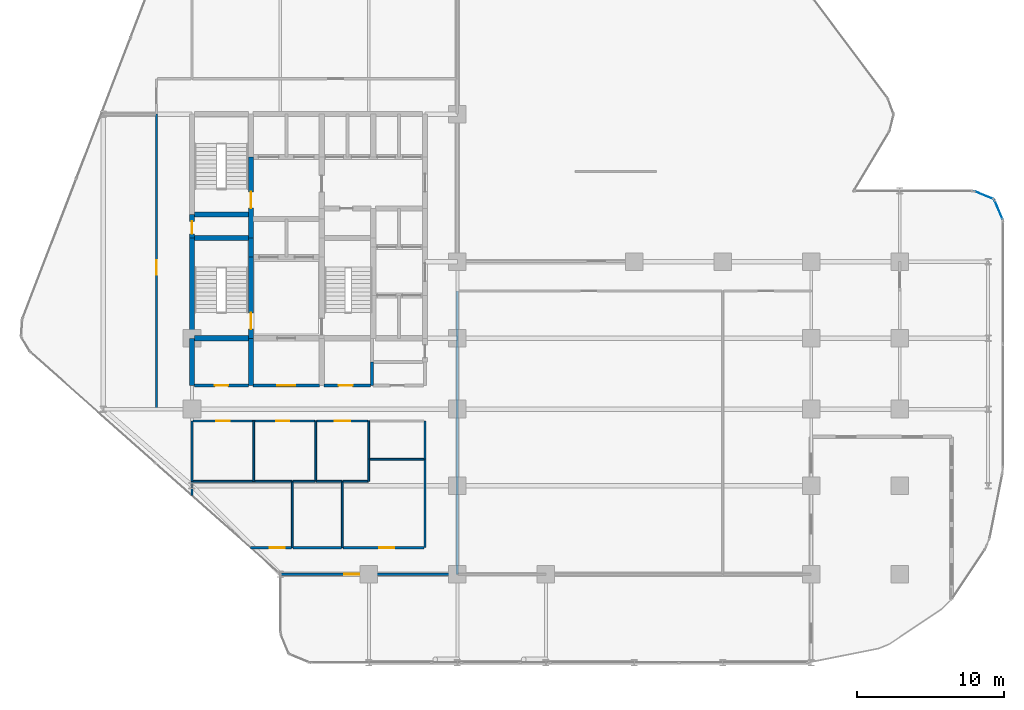
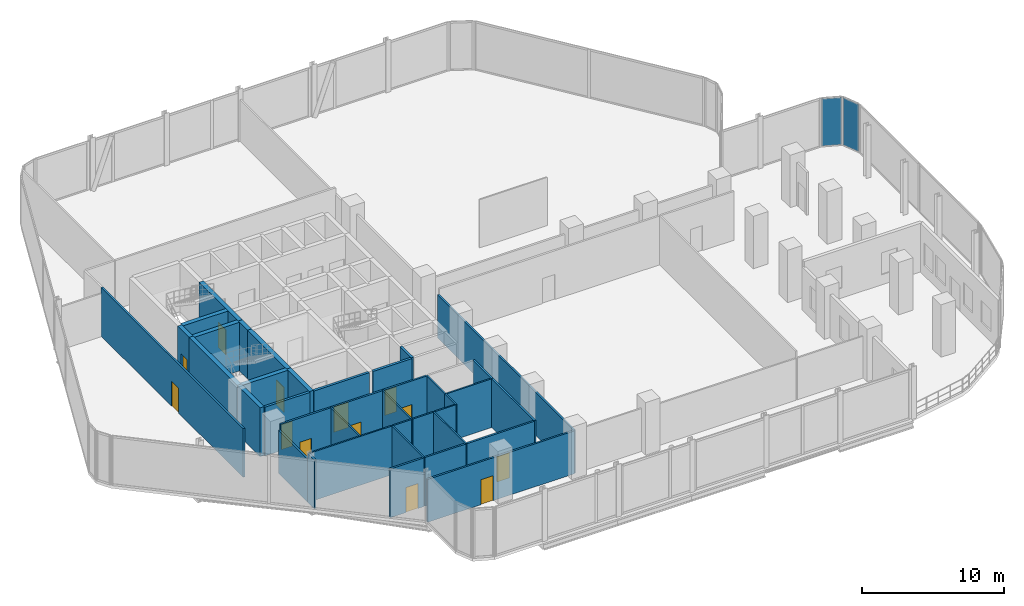
# One storey, part 26 of 30: 37 walls, 13 doors, 2 plates, 13 openings, 2 elements without a shape of their own.
"""IFC4 building model written with IfcOpenShell, lengths in metres."""

from ifc_helpers import new_model, si_unit, direction, frame, frame_2d, origin, origin_2d, place, context, subcontext, project, spatial, rectangle, extrude, material, layer, layer_set, type_object, element, fill, aggregate, save


model = new_model("IFC4")

# Units and contexts
model_context = context("Model", 3, precision=1e-05, world=origin(), true_north=direction((0.0, 1.0)))
body_context = subcontext(model_context, "Body", "Model", "MODEL_VIEW")
ifc_project = project(units=[si_unit("LENGTHUNIT", "METRE"), si_unit("AREAUNIT", "SQUARE_METRE"), si_unit("VOLUMEUNIT", "CUBIC_METRE"), si_unit("PLANEANGLEUNIT", "RADIAN"), si_unit("MASSUNIT", "GRAM", prefix="KILO")], contexts=[model_context])

# Site, building, storey
site_placement = place(None, origin())
site = spatial("IfcSite", under=ifc_project, at=site_placement, CompositionType="ELEMENT")
building_placement = place(site_placement, origin())
building = spatial("IfcBuilding", under=site, at=building_placement, Name="Keshet Zoharim Tower", CompositionType="ELEMENT")
storey_placement = place(building_placement, frame((0.0, 0.0, 65.60009765625)))
storey = spatial("IfcBuildingStorey", under=building, at=storey_placement, Name="L15", CompositionType="ELEMENT", Elevation=65.60009765625)

# Curtain wall, plate
ifc_material_1 = material(Name="Aluminium 6063-T6", Category="aluminium")
ifc_layer_1 = layer(ifc_material_1, 0.169921875)
ifc_layer_set_1 = layer_set([ifc_layer_1], Name="Aluminium 6063-T6")
curtain_wall_type = type_object("IfcCurtainWallType", Name="CW-SYS-02", PredefinedType="NOTDEFINED", material=ifc_layer_set_1)
curtain_wall_1_placement = place(storey_placement, origin())
curtain_wall_1 = element("IfcCurtainWall", 1, at=curtain_wall_1_placement, inside=storey, type_object=curtain_wall_type, Name="L15 Unitised Curtain Wall 11", PredefinedType="NOTDEFINED")
ifc_material_2 = material(Name="Insulated Low-E Clear Glass", Category="glass")
ifc_layer_2 = layer(ifc_material_2, 0.031982421875)
ifc_layer_set_2 = layer_set([ifc_layer_2], Name="Insulated Low-E Clear Glass")
plate_type = type_object("IfcPlateType", Name="CWP-02", PredefinedType="CURTAIN_PANEL", material=ifc_layer_set_2)
plate_1_placement = place(storey_placement, frame((68.70703125, 32.406982421875, 0.06982421875), z_axis=(0.0, 0.0, 1.0), x_axis=(0.92380975372, -0.382851849847, 0.0)))
plate_1 = element("IfcPlate", 2, at=plate_1_placement, type_object=plate_type, Name="CW-02 panel 1.1", PredefinedType="CURTAIN_PANEL", context=body_context, shape_type="SweptSolid", body=[
    extrude(rectangle(XDim=1.390625, YDim=0.031982421875, at=origin_2d()), origin(), (0.0, 0.0, 1.0), 4.044921875),
])
aggregate(curtain_wall_1, [plate_1])

curtain_wall_2_placement = place(storey_placement, origin())
curtain_wall_2 = element("IfcCurtainWall", 3, at=curtain_wall_2_placement, inside=storey, type_object=curtain_wall_type, Name="L15 Unitised Curtain Wall 12", PredefinedType="NOTDEFINED")
plate_2_placement = place(storey_placement, frame((69.70703125, 31.406982421875, 0.06982421875), z_axis=(0.0, 0.0, 1.0), x_axis=(0.382851849847, -0.92380975372, 0.0)))
plate_2 = element("IfcPlate", 4, at=plate_2_placement, type_object=plate_type, Name="CW-02 panel 1.1", PredefinedType="CURTAIN_PANEL", context=body_context, shape_type="SweptSolid", body=[
    extrude(rectangle(XDim=1.390625, YDim=0.031982421875, at=origin_2d()), origin(), (0.0, 0.0, 1.0), 4.044921875),
])
aggregate(curtain_wall_2, [plate_2])

# Wall, opening, door
ifc_material_3 = material(Name="Gypsum Plasterboard", Category="gypsum")
ifc_layer_3 = layer(ifc_material_3, 0.14990234375)
ifc_layer_set_3 = layer_set([ifc_layer_3], Name="Gypsum Plasterboard")
wall_type_1 = type_object("IfcWallType", Name="WL-CLIN-150", PredefinedType="STANDARD", material=ifc_layer_set_3)
wall_1_placement = place(storey_placement, frame((12.60009765625, 17.89990234375, 0.0), z_axis=(0.0, 0.0, 1.0), x_axis=(0.0, 1.0, 0.0)))
wall_1 = element("IfcWall", 5, at=wall_1_placement, inside=storey, type_object=wall_type_1, Name="L15 Interior Wall 001", PredefinedType="STANDARD", context=body_context, shape_type="SweptSolid", body=[
    extrude(rectangle(XDim=20.0, YDim=0.14990234375, at=frame_2d((10.0, 0.0))), origin(), (0.0, 0.0, 1.0), 4.184814453125),
])
opening_1_placement = place(wall_1_placement, frame((9.10009765625, 0.0, 0.0)))
opening_1 = element("IfcOpeningElement", 6, at=opening_1_placement, cuts=wall_1, Name="Opening D-F310", PredefinedType="OPENING", context=body_context, shape_type="SweptSolid", body=[
    extrude(rectangle(XDim=1.0, YDim=2.14990234375, at=frame_2d((0.5, 1.074951171875))), frame((0.0, 0.0849609375, 0.0), z_axis=(0.0, -1.0, 0.0), x_axis=(1.0, 0.0, 0.0)), (0.0, 0.0, 1.0), 0.169921875),
])
ifc_material_4 = material(Name="Hardwood Timber", Category="wood")
door_type_1 = type_object("IfcDoorType", Name="DR-FD30-100", OperationType="NOTDEFINED", PredefinedType="DOOR", material=ifc_material_4)
door_1_placement = place(opening_1_placement, origin())
door_1 = element("IfcDoor", 7, at=door_1_placement, inside=storey, type_object=door_type_1, Name="L15 Children Playroom Door", OperationType="SINGLE_SWING_RIGHT", OverallHeight=2.14990234375, OverallWidth=1.0, PredefinedType="DOOR", context=body_context, shape_type="SweptSolid", body=[
    extrude(rectangle(XDim=1.0, YDim=2.14990234375, at=frame_2d((0.5, 1.074951171875))), frame((0.0, 0.02490234375, 0.0), z_axis=(0.0, -1.0, 0.0), x_axis=(1.0, 0.0, 0.0)), (0.0, 0.0, 1.0), 0.050048828125),
])
fill(opening_1, door_1)

# Walls
wall_2_placement = place(storey_placement, frame((15.0, 12.04296875, 0.0), z_axis=(0.0, 0.0, 1.0), x_axis=(0.0, 1.0, 0.0)))
element("IfcWall", 8, at=wall_2_placement, inside=storey, type_object=wall_type_1, Name="L15 Interior Wall 003", PredefinedType="STANDARD", context=body_context, shape_type="SweptSolid", body=[
    extrude(rectangle(XDim=0.95703125, YDim=0.14990234375, at=frame_2d((0.478515625, 0.0))), origin(), (0.0, 0.0, 1.0), 4.184814453125),
])
wall_3_placement = place(storey_placement, frame((15.0, 13.0, 0.0), z_axis=(0.0, 0.0, 1.0), x_axis=(0.0, 1.0, 0.0)))
element("IfcWall", 9, at=wall_3_placement, inside=storey, type_object=wall_type_1, Name="L15 Interior Wall 004", PredefinedType="STANDARD", context=body_context, shape_type="SweptSolid", body=[
    extrude(rectangle(XDim=4.10009765625, YDim=0.14990234375, at=frame_2d((2.050048828125, 0.0))), origin(), (0.0, 0.0, 1.0), 3.684814453125),
])
wall_4_placement = place(storey_placement, frame((30.800048828125, 8.5, 0.0), z_axis=(0.0, 0.0, 1.0), x_axis=(0.0, 1.0, 0.0)))
element("IfcWall", 10, at=wall_4_placement, inside=storey, type_object=wall_type_1, Name="L15 Interior Wall 041", PredefinedType="STANDARD", context=body_context, shape_type="SweptSolid", body=[
    extrude(rectangle(XDim=6.0, YDim=0.14990234375, at=frame_2d((3.0, 0.0))), origin(), (0.0, 0.0, 1.0), 4.184814453125),
])
wall_5_placement = place(storey_placement, frame((30.800048828125, 14.5, 0.0), z_axis=(0.0, 0.0, 1.0), x_axis=(0.0, 1.0, 0.0)))
element("IfcWall", 11, at=wall_5_placement, inside=storey, type_object=wall_type_1, Name="L15 Interior Wall 042", PredefinedType="STANDARD", context=body_context, shape_type="SweptSolid", body=[
    extrude(rectangle(XDim=2.60009765625, YDim=0.14990234375, at=frame_2d((1.300048828125, 0.0))), origin(), (0.0, 0.0, 1.0), 4.184814453125),
])
wall_6_placement = place(storey_placement, frame((33.0, 6.699951171875, 0.0), z_axis=(0.0, 0.0, 1.0), x_axis=(0.0, 1.0, 0.0)))
element("IfcWall", 12, at=wall_6_placement, inside=storey, type_object=wall_type_1, Name="L15 Interior Wall 050", PredefinedType="STANDARD", context=body_context, shape_type="SweptSolid", body=[
    extrude(rectangle(XDim=19.199951171875, YDim=0.14990234375, at=frame_2d((9.60009765625, 0.0))), origin(), (0.0, 0.0, 1.0), 3.684814453125),
])

# Wall, opening, door
wall_7_placement = place(storey_placement, frame((21.010009765625, 6.699951171875, 0.0), z_axis=(0.0, 0.0, 1.0), x_axis=(1.0, 0.0, 0.0)))
wall_7 = element("IfcWall", 13, at=wall_7_placement, inside=storey, type_object=wall_type_1, Name="L15 Interior Wall 055", PredefinedType="STANDARD", context=body_context, shape_type="SweptSolid", body=[
    extrude(rectangle(XDim=11.929931640625, YDim=0.14990234375, at=frame_2d((5.96484375, 0.0))), origin(), (0.0, 0.0, 1.0), 3.684814453125),
])
opening_2_placement = place(wall_7_placement, frame((4.324951171875, 0.0, 0.0)))
opening_2 = element("IfcOpeningElement", 14, at=opening_2_placement, cuts=wall_7, Name="Opening D-F310", PredefinedType="OPENING", context=body_context, shape_type="SweptSolid", body=[
    extrude(rectangle(XDim=1.0, YDim=2.14990234375, at=frame_2d((0.5, 1.074951171875))), frame((0.0, 0.0849609375, 0.0), z_axis=(0.0, -1.0, 0.0), x_axis=(1.0, 0.0, 0.0)), (0.0, 0.0, 1.0), 0.169921875),
])
door_2_placement = place(opening_2_placement, origin())
door_2 = element("IfcDoor", 15, at=door_2_placement, inside=storey, type_object=door_type_1, Name="L15 South Sun Conservatory Door", OperationType="SINGLE_SWING_LEFT", OverallHeight=2.14990234375, OverallWidth=1.0, PredefinedType="DOOR", context=body_context, shape_type="SweptSolid", body=[
    extrude(rectangle(XDim=1.0, YDim=2.14990234375, at=frame_2d((0.5, 1.074951171875))), frame((0.0, 0.02490234375, 0.0), z_axis=(0.0, -1.0, 0.0), x_axis=(1.0, 0.0, 0.0)), (0.0, 0.0, 1.0), 0.050048828125),
])
fill(opening_2, door_2)

wall_8_placement = place(storey_placement, frame((18.985107421875, 8.5, 0.0), z_axis=(0.0, 0.0, 1.0), x_axis=(1.0, 0.0, 0.0)))
wall_8 = element("IfcWall", 16, at=wall_8_placement, inside=storey, type_object=wall_type_1, Name="L15 Interior Wall 058", PredefinedType="STANDARD", context=body_context, shape_type="SweptSolid", body=[
    extrude(rectangle(XDim=2.769775390625, YDim=0.14990234375, at=frame_2d((1.384765625, 0.0))), origin(), (0.0, 0.0, 1.0), 4.184814453125),
])
opening_3_placement = place(wall_8_placement, frame((1.294921875, 0.0, 0.0)))
opening_3 = element("IfcOpeningElement", 17, at=opening_3_placement, cuts=wall_8, Name="Opening D-F310", PredefinedType="OPENING", context=body_context, shape_type="SweptSolid", body=[
    extrude(rectangle(XDim=1.0, YDim=2.14990234375, at=frame_2d((0.5, 1.074951171875))), frame((0.0, 0.0849609375, 0.0), z_axis=(0.0, -1.0, 0.0), x_axis=(1.0, 0.0, 0.0)), (0.0, 0.0, 1.0), 0.169921875),
])
door_3_placement = place(opening_3_placement, origin())
door_3 = element("IfcDoor", 18, at=door_3_placement, inside=storey, type_object=door_type_1, Name="L15 Residents Laundry Room Door", OperationType="SINGLE_SWING_RIGHT", OverallHeight=2.14990234375, OverallWidth=1.0, PredefinedType="DOOR", context=body_context, shape_type="SweptSolid", body=[
    extrude(rectangle(XDim=1.0, YDim=2.14990234375, at=frame_2d((0.5, 1.074951171875))), frame((0.0, 0.02490234375, 0.0), z_axis=(0.0, -1.0, 0.0), x_axis=(1.0, 0.0, 0.0)), (0.0, 0.0, 1.0), 0.050048828125),
])
fill(opening_3, door_3)

# Wall
wall_9_placement = place(storey_placement, frame((21.844970703125, 8.5, 0.0), z_axis=(0.0, 0.0, 1.0), x_axis=(1.0, 0.0, 0.0)))
element("IfcWall", 19, at=wall_9_placement, inside=storey, type_object=wall_type_1, Name="L15 Interior Wall 059", PredefinedType="STANDARD", context=body_context, shape_type="SweptSolid", body=[
    extrude(rectangle(XDim=3.31005859375, YDim=0.14990234375, at=frame_2d((1.655029296875, 0.0))), origin(), (0.0, 0.0, 1.0), 4.184814453125),
])

# Wall, opening, door
wall_10_placement = place(storey_placement, frame((25.2451171875, 8.5, 0.0), z_axis=(0.0, 0.0, 1.0), x_axis=(1.0, 0.0, 0.0)))
wall_10 = element("IfcWall", 20, at=wall_10_placement, inside=storey, type_object=wall_type_1, Name="L15 Interior Wall 060", PredefinedType="STANDARD", context=body_context, shape_type="SweptSolid", body=[
    extrude(rectangle(XDim=5.494873046875, YDim=0.14990234375, at=frame_2d((2.74755859375, 0.0))), origin(), (0.0, 0.0, 1.0), 4.184814453125),
])
opening_4_placement = place(wall_10_placement, frame((2.468994140625, 0.0, 0.0)))
opening_4 = element("IfcOpeningElement", 21, at=opening_4_placement, cuts=wall_10, Name="Opening D-F310", PredefinedType="OPENING", context=body_context, shape_type="SweptSolid", body=[
    extrude(rectangle(XDim=1.0, YDim=2.14990234375, at=frame_2d((0.5, 1.074951171875))), frame((0.0, 0.0849609375, 0.0), z_axis=(0.0, -1.0, 0.0), x_axis=(1.0, 0.0, 0.0)), (0.0, 0.0, 1.0), 0.169921875),
])
door_4_placement = place(opening_4_placement, origin())
door_4 = element("IfcDoor", 22, at=door_4_placement, inside=storey, type_object=door_type_1, Name="L15 Shared Residents Kitchen Door", OperationType="SINGLE_SWING_LEFT", OverallHeight=2.14990234375, OverallWidth=1.0, PredefinedType="DOOR", context=body_context, shape_type="SweptSolid", body=[
    extrude(rectangle(XDim=1.0, YDim=2.14990234375, at=frame_2d((0.5, 1.074951171875))), frame((0.0, 0.02490234375, 0.0), z_axis=(0.0, -1.0, 0.0), x_axis=(1.0, 0.0, 0.0)), (0.0, 0.0, 1.0), 0.050048828125),
])
fill(opening_4, door_4)

# Wall, openings, doors
wall_11_placement = place(storey_placement, frame((15.06005859375, 17.10009765625, 0.0), z_axis=(0.0, 0.0, 1.0), x_axis=(1.0, 0.0, 0.0)))
wall_11 = element("IfcWall", 23, at=wall_11_placement, inside=storey, type_object=wall_type_1, Name="L15 Interior Wall 066", PredefinedType="STANDARD", context=body_context, shape_type="SweptSolid", body=[
    extrude(rectangle(XDim=8.294921875, YDim=0.14990234375, at=frame_2d((4.1474609375, 0.0))), origin(), (0.0, 0.0, 1.0), 4.184814453125),
])
opening_5_placement = place(wall_11_placement, frame((1.594970703125, 0.0, 0.0)))
opening_5 = element("IfcOpeningElement", 24, at=opening_5_placement, cuts=wall_11, Name="Opening D-WT90", PredefinedType="OPENING", context=body_context, shape_type="SweptSolid", body=[
    extrude(rectangle(XDim=0.89990234375, YDim=2.10009765625, at=frame_2d((0.449951171875, 1.050048828125))), frame((0.0, 0.0849609375, 0.0), z_axis=(0.0, -1.0, 0.0), x_axis=(1.0, 0.0, 0.0)), (0.0, 0.0, 1.0), 0.169921875),
])
opening_6_placement = place(wall_11_placement, frame((5.64501953125, 0.0, 0.0)))
opening_6 = element("IfcOpeningElement", 25, at=opening_6_placement, cuts=wall_11, Name="Opening D-WT90", PredefinedType="OPENING", context=body_context, shape_type="SweptSolid", body=[
    extrude(rectangle(XDim=0.89990234375, YDim=2.10009765625, at=frame_2d((0.449951171875, 1.050048828125))), frame((0.0, 0.0849609375, 0.0), z_axis=(0.0, -1.0, 0.0), x_axis=(1.0, 0.0, 0.0)), (0.0, 0.0, 1.0), 0.169921875),
])
door_type_2 = type_object("IfcDoorType", Name="DR-WET-090", OperationType="NOTDEFINED", PredefinedType="DOOR", material=ifc_material_4)
door_5_placement = place(opening_5_placement, origin())
door_5 = element("IfcDoor", 26, at=door_5_placement, inside=storey, type_object=door_type_2, Name="L15 Public WCM Door", OperationType="SINGLE_SWING_RIGHT", OverallHeight=2.10009765625, OverallWidth=0.89990234375, PredefinedType="DOOR", context=body_context, shape_type="SweptSolid", body=[
    extrude(rectangle(XDim=0.89990234375, YDim=2.10009765625, at=frame_2d((0.449951171875, 1.050048828125))), frame((0.0, 0.02490234375, 0.0), z_axis=(0.0, -1.0, 0.0), x_axis=(1.0, 0.0, 0.0)), (0.0, 0.0, 1.0), 0.050048828125),
])
fill(opening_5, door_5)
door_6_placement = place(opening_6_placement, origin())
door_6 = element("IfcDoor", 27, at=door_6_placement, inside=storey, type_object=door_type_2, Name="L15 Public WCF Door", OperationType="SINGLE_SWING_LEFT", OverallHeight=2.10009765625, OverallWidth=0.89990234375, PredefinedType="DOOR", context=body_context, shape_type="SweptSolid", body=[
    extrude(rectangle(XDim=0.89990234375, YDim=2.10009765625, at=frame_2d((0.449951171875, 1.050048828125))), frame((0.0, 0.02490234375, 0.0), z_axis=(0.0, -1.0, 0.0), x_axis=(1.0, 0.0, 0.0)), (0.0, 0.0, 1.0), 0.050048828125),
])
fill(opening_6, door_6)

# Wall, opening, door
wall_12_placement = place(storey_placement, frame((23.445068359375, 17.10009765625, 0.0), z_axis=(0.0, 0.0, 1.0), x_axis=(1.0, 0.0, 0.0)))
wall_12 = element("IfcWall", 28, at=wall_12_placement, inside=storey, type_object=wall_type_1, Name="L15 Interior Wall 067", PredefinedType="STANDARD", context=body_context, shape_type="SweptSolid", body=[
    extrude(rectangle(XDim=3.510009765625, YDim=0.14990234375, at=frame_2d((1.7548828125, 0.0))), origin(), (0.0, 0.0, 1.0), 4.184814453125),
])
opening_7_placement = place(wall_12_placement, frame((1.22998046875, 0.0, 0.0)))
opening_7 = element("IfcOpeningElement", 29, at=opening_7_placement, cuts=wall_12, Name="Opening D-AC10", PredefinedType="OPENING", context=body_context, shape_type="SweptSolid", body=[
    extrude(rectangle(XDim=1.050048828125, YDim=2.14990234375, at=frame_2d((0.52490234375, 1.074951171875))), frame((0.0, 0.0849609375, 0.0), z_axis=(0.0, -1.0, 0.0), x_axis=(1.0, 0.0, 0.0)), (0.0, 0.0, 1.0), 0.169921875),
])
door_type_3 = type_object("IfcDoorType", Name="DR-ACC-105", OperationType="NOTDEFINED", PredefinedType="DOOR", material=ifc_material_4)
door_7_placement = place(opening_7_placement, origin())
door_7 = element("IfcDoor", 30, at=door_7_placement, inside=storey, type_object=door_type_3, Name="L15 Public WCA Door", OperationType="SINGLE_SWING_RIGHT", OverallHeight=2.14990234375, OverallWidth=1.050048828125, PredefinedType="DOOR", context=body_context, shape_type="SweptSolid", body=[
    extrude(rectangle(XDim=1.050048828125, YDim=2.14990234375, at=frame_2d((0.52490234375, 1.074951171875))), frame((0.0, 0.02490234375, 0.0), z_axis=(0.0, -1.0, 0.0), x_axis=(1.0, 0.0, 0.0)), (0.0, 0.0, 1.0), 0.050048828125),
])
fill(opening_7, door_7)

# Walls
ifc_material_5 = material(Name="Concrete C60/75", Category="concrete")
ifc_layer_4 = layer(ifc_material_5, 0.35009765625)
ifc_layer_set_4 = layer_set([ifc_layer_4], Name="Concrete C60/75")
wall_type_2 = type_object("IfcWallType", Name="WL-CORE-350", PredefinedType="SHEAR", material=ifc_layer_set_4)
wall_13_placement = place(storey_placement, frame((15.0, 19.5, 0.0), z_axis=(0.0, 0.0, 1.0), x_axis=(0.0, 1.0, 0.0)))
element("IfcWall", 31, at=wall_13_placement, inside=storey, type_object=wall_type_2, Name="L15 Core Shear Wall 005", PredefinedType="SHEAR", context=body_context, shape_type="SweptSolid", body=[
    extrude(rectangle(XDim=3.199951171875, YDim=0.35009765625, at=frame_2d((1.60009765625, 0.0))), origin(), (0.0, 0.0, 1.0), 4.184814453125),
])
wall_14_placement = place(storey_placement, frame((15.0, 22.699951171875, 0.0), z_axis=(0.0, 0.0, 1.0), x_axis=(0.0, 1.0, 0.0)))
element("IfcWall", 32, at=wall_14_placement, inside=storey, type_object=wall_type_2, Name="L15 Core Shear Wall 006", PredefinedType="SHEAR", context=body_context, shape_type="SweptSolid", body=[
    extrude(rectangle(XDim=6.800048828125, YDim=0.35009765625, at=frame_2d((3.39990234375, 0.0))), origin(), (0.0, 0.0, 1.0), 4.184814453125),
])

# Wall, opening, door
wall_15_placement = place(storey_placement, frame((15.0, 29.5, 0.0), z_axis=(0.0, 0.0, 1.0), x_axis=(0.0, 1.0, 0.0)))
wall_15 = element("IfcWall", 33, at=wall_15_placement, inside=storey, type_object=wall_type_2, Name="L15 Core Shear Wall 007", PredefinedType="SHEAR", context=body_context, shape_type="SweptSolid", body=[
    extrude(rectangle(XDim=1.60009765625, YDim=0.35009765625, at=frame_2d((0.800048828125, 0.0))), origin(), (0.0, 0.0, 1.0), 4.184814453125),
])
opening_8_placement = place(wall_15_placement, frame((0.287109375, 0.0, 0.0)))
opening_8 = element("IfcOpeningElement", 34, at=opening_8_placement, cuts=wall_15, Name="Opening D-RS85", PredefinedType="OPENING", context=body_context, shape_type="SweptSolid", body=[
    extrude(rectangle(XDim=0.85009765625, YDim=2.10009765625, at=frame_2d((0.425048828125, 1.050048828125))), frame((0.0, 0.18505859375, 0.0), z_axis=(0.0, -1.0, 0.0), x_axis=(1.0, 0.0, 0.0)), (0.0, 0.0, 1.0), 0.3701171875),
])
door_type_4 = type_object("IfcDoorType", Name="DR-RIS-085", OperationType="NOTDEFINED", PredefinedType="DOOR", material=ifc_material_4)
door_8_placement = place(opening_8_placement, origin())
door_8 = element("IfcDoor", 35, at=door_8_placement, inside=storey, type_object=door_type_4, Name="L15 Electrical Riser Access Cupboard Door", OperationType="SINGLE_SWING_RIGHT", OverallHeight=2.10009765625, OverallWidth=0.85009765625, PredefinedType="DOOR", context=body_context, shape_type="SweptSolid", body=[
    extrude(rectangle(XDim=0.85009765625, YDim=2.10009765625, at=frame_2d((0.425048828125, 1.050048828125))), frame((0.0, 0.02490234375, 0.0), z_axis=(0.0, -1.0, 0.0), x_axis=(1.0, 0.0, 0.0)), (0.0, 0.0, 1.0), 0.050048828125),
])
fill(opening_8, door_8)

# Wall
wall_16_placement = place(storey_placement, frame((19.0, 19.5, 0.0), z_axis=(0.0, 0.0, 1.0), x_axis=(0.0, 1.0, 0.0)))
element("IfcWall", 36, at=wall_16_placement, inside=storey, type_object=wall_type_2, Name="L15 Core Shear Wall 010", PredefinedType="SHEAR", context=body_context, shape_type="SweptSolid", body=[
    extrude(rectangle(XDim=3.199951171875, YDim=0.35009765625, at=frame_2d((1.60009765625, 0.0))), origin(), (0.0, 0.0, 1.0), 4.184814453125),
])

# Wall, opening, door
wall_17_placement = place(storey_placement, frame((19.0, 22.699951171875, 0.0), z_axis=(0.0, 0.0, 1.0), x_axis=(0.0, 1.0, 0.0)))
wall_17 = element("IfcWall", 37, at=wall_17_placement, inside=storey, type_object=wall_type_2, Name="L15 Core Shear Wall 011", PredefinedType="SHEAR", context=body_context, shape_type="SweptSolid", body=[
    extrude(rectangle(XDim=5.5, YDim=0.35009765625, at=frame_2d((2.75, 0.0))), origin(), (0.0, 0.0, 1.0), 4.184814453125),
])
opening_9_placement = place(wall_17_placement, frame((0.631103515625, 0.0, 0.0)))
opening_9 = element("IfcOpeningElement", 38, at=opening_9_placement, cuts=wall_17, Name="Opening D-F611", PredefinedType="OPENING", context=body_context, shape_type="SweptSolid", body=[
    extrude(rectangle(XDim=1.10009765625, YDim=2.14990234375, at=frame_2d((0.550048828125, 1.074951171875))), frame((0.0, 0.18505859375, 0.0), z_axis=(0.0, -1.0, 0.0), x_axis=(1.0, 0.0, 0.0)), (0.0, 0.0, 1.0), 0.3701171875),
])
door_type_5 = type_object("IfcDoorType", Name="DR-FD60-110", OperationType="NOTDEFINED", PredefinedType="DOOR", material=ifc_material_4)
door_9_placement = place(opening_9_placement, origin())
door_9 = element("IfcDoor", 39, at=door_9_placement, inside=storey, type_object=door_type_5, Name="L15 Exit Stair ST-01 Fire Door", OperationType="SINGLE_SWING_LEFT", OverallHeight=2.14990234375, OverallWidth=1.10009765625, PredefinedType="DOOR", context=body_context, shape_type="SweptSolid", body=[
    extrude(rectangle(XDim=1.10009765625, YDim=2.14990234375, at=frame_2d((0.550048828125, 1.074951171875))), frame((0.0, 0.02490234375, 0.0), z_axis=(0.0, -1.0, 0.0), x_axis=(1.0, 0.0, 0.0)), (0.0, 0.0, 1.0), 0.050048828125),
])
fill(opening_9, door_9)

# Wall
wall_18_placement = place(storey_placement, frame((19.0, 28.199951171875, 0.0), z_axis=(0.0, 0.0, 1.0), x_axis=(0.0, 1.0, 0.0)))
element("IfcWall", 40, at=wall_18_placement, inside=storey, type_object=wall_type_2, Name="L15 Core Shear Wall 012", PredefinedType="SHEAR", context=body_context, shape_type="SweptSolid", body=[
    extrude(rectangle(XDim=1.300048828125, YDim=0.35009765625, at=frame_2d((0.64990234375, 0.0))), origin(), (0.0, 0.0, 1.0), 4.184814453125),
])

# Wall, opening, door
wall_19_placement = place(storey_placement, frame((19.0, 29.5, 0.0), z_axis=(0.0, 0.0, 1.0), x_axis=(0.0, 1.0, 0.0)))
wall_19 = element("IfcWall", 41, at=wall_19_placement, inside=storey, type_object=wall_type_2, Name="L15 Core Shear Wall 013", PredefinedType="SHEAR", context=body_context, shape_type="SweptSolid", body=[
    extrude(rectangle(XDim=5.5, YDim=0.35009765625, at=frame_2d((2.75, 0.0))), origin(), (0.0, 0.0, 1.0), 4.184814453125),
])
opening_10_placement = place(wall_19_placement, frame((2.02490234375, 0.0, 0.0)))
opening_10 = element("IfcOpeningElement", 42, at=opening_10_placement, cuts=wall_19, Name="Opening D-F611", PredefinedType="OPENING", context=body_context, shape_type="SweptSolid", body=[
    extrude(rectangle(XDim=1.10009765625, YDim=2.14990234375, at=frame_2d((0.550048828125, 1.074951171875))), frame((0.0, 0.18505859375, 0.0), z_axis=(0.0, -1.0, 0.0), x_axis=(1.0, 0.0, 0.0)), (0.0, 0.0, 1.0), 0.3701171875),
])
door_10_placement = place(opening_10_placement, origin())
door_10 = element("IfcDoor", 43, at=door_10_placement, inside=storey, type_object=door_type_5, Name="L15 Exit Stair ST-02 Fire Door", OperationType="SINGLE_SWING_RIGHT", OverallHeight=2.14990234375, OverallWidth=1.10009765625, PredefinedType="DOOR", context=body_context, shape_type="SweptSolid", body=[
    extrude(rectangle(XDim=1.10009765625, YDim=2.14990234375, at=frame_2d((0.550048828125, 1.074951171875))), frame((0.0, 0.02490234375, 0.0), z_axis=(0.0, -1.0, 0.0), x_axis=(1.0, 0.0, 0.0)), (0.0, 0.0, 1.0), 0.050048828125),
])
fill(opening_10, door_10)

# Walls
for number, where, z_axis, x_axis, name in (
    (44, (15.159912109375, 22.699951171875, 0.0), (0.0, 0.0, 1.0), (1.0, 0.0, 0.0), "L15 Core Shear Wall 074"),
    (45, (15.159912109375, 29.5, 0.0), (0.0, 0.0, 1.0), (1.0, 0.0, 0.0), "L15 Core Shear Wall 084"),
    (46, (15.159912109375, 31.10009765625, 0.0), (0.0, 0.0, 1.0), (1.0, 0.0, 0.0), "L15 Core Shear Wall 087"),
):
    element("IfcWall", number, at=place(storey_placement, frame(where, z_axis=z_axis, x_axis=x_axis)), inside=storey, type_object=wall_type_2, Name=name, PredefinedType="SHEAR", context=body_context, shape_type="SweptSolid", body=[
        extrude(rectangle(XDim=3.68017578125, YDim=0.35009765625, at=frame_2d((1.840087890625, 0.0))), origin(), (0.0, 0.0, 1.0), 4.184814453125),
    ])
ifc_material_6 = material(Name="Concrete C50/60", Category="concrete")
ifc_layer_5 = layer(ifc_material_6, 0.199951171875)
ifc_layer_set_5 = layer_set([ifc_layer_5], Name="Concrete C50/60")
wall_type_3 = type_object("IfcWallType", Name="WL-FIRE-200", PredefinedType="STANDARD", material=ifc_layer_set_5)
wall_20_placement = place(storey_placement, frame((27.199951171875, 19.5, 0.0), z_axis=(0.0, 0.0, 1.0), x_axis=(0.0, 1.0, 0.0)))
element("IfcWall", 47, at=wall_20_placement, inside=storey, type_object=wall_type_3, Name="L15 Interior Wall 031", PredefinedType="STANDARD", context=body_context, shape_type="SweptSolid", body=[
    extrude(rectangle(XDim=1.60009765625, YDim=0.199951171875, at=frame_2d((0.800048828125, 0.0))), origin(), (0.0, 0.0, 1.0), 4.184814453125),
])

# Wall, opening, door
wall_21_placement = place(storey_placement, frame((15.159912109375, 19.5, 0.0), z_axis=(0.0, 0.0, 1.0), x_axis=(1.0, 0.0, 0.0)))
wall_21 = element("IfcWall", 48, at=wall_21_placement, inside=storey, type_object=wall_type_3, Name="L15 Interior Wall 069", PredefinedType="STANDARD", context=body_context, shape_type="SweptSolid", body=[
    extrude(rectangle(XDim=3.68017578125, YDim=0.199951171875, at=frame_2d((1.840087890625, 0.0))), origin(), (0.0, 0.0, 1.0), 4.184814453125),
])
opening_11_placement = place(wall_21_placement, frame((1.389892578125, 0.0, 0.0)))
opening_11 = element("IfcOpeningElement", 49, at=opening_11_placement, cuts=wall_21, Name="Opening D-F690", PredefinedType="OPENING", context=body_context, shape_type="SweptSolid", body=[
    extrude(rectangle(XDim=0.89990234375, YDim=2.14990234375, at=frame_2d((0.449951171875, 1.074951171875))), frame((0.0, 0.10986328125, 0.0), z_axis=(0.0, -1.0, 0.0), x_axis=(1.0, 0.0, 0.0)), (0.0, 0.0, 1.0), 0.219970703125),
])
door_type_6 = type_object("IfcDoorType", Name="DR-FD60-090", OperationType="NOTDEFINED", PredefinedType="DOOR", material=ifc_material_4)
door_11_placement = place(opening_11_placement, origin())
door_11 = element("IfcDoor", 50, at=door_11_placement, inside=storey, type_object=door_type_6, Name="L15 Refuse Store Door", OperationType="SINGLE_SWING_LEFT", OverallHeight=2.14990234375, OverallWidth=0.89990234375, PredefinedType="DOOR", context=body_context, shape_type="SweptSolid", body=[
    extrude(rectangle(XDim=0.89990234375, YDim=2.14990234375, at=frame_2d((0.449951171875, 1.074951171875))), frame((0.0, 0.02490234375, 0.0), z_axis=(0.0, -1.0, 0.0), x_axis=(1.0, 0.0, 0.0)), (0.0, 0.0, 1.0), 0.050048828125),
])
fill(opening_11, door_11)

wall_22_placement = place(storey_placement, frame((19.159912109375, 19.5, 0.0), z_axis=(0.0, 0.0, 1.0), x_axis=(1.0, 0.0, 0.0)))
wall_22 = element("IfcWall", 51, at=wall_22_placement, inside=storey, type_object=wall_type_3, Name="L15 Interior Wall 070", PredefinedType="STANDARD", context=body_context, shape_type="SweptSolid", body=[
    extrude(rectangle(XDim=4.47998046875, YDim=0.199951171875, at=frame_2d((2.239990234375, 0.0))), origin(), (0.0, 0.0, 1.0), 4.184814453125),
])
opening_12_placement = place(wall_22_placement, frame((1.639892578125, 0.0, 0.0)))
opening_12 = element("IfcOpeningElement", 52, at=opening_12_placement, cuts=wall_22, Name="Opening D-F612", PredefinedType="OPENING", context=body_context, shape_type="SweptSolid", body=[
    extrude(rectangle(XDim=1.199951171875, YDim=2.199951171875, at=frame_2d((0.60009765625, 1.10009765625))), frame((0.0, 0.10986328125, 0.0), z_axis=(0.0, -1.0, 0.0), x_axis=(1.0, 0.0, 0.0)), (0.0, 0.0, 1.0), 0.219970703125),
])
door_type_7 = type_object("IfcDoorType", Name="DR-FD60-120", OperationType="NOTDEFINED", PredefinedType="DOOR", material=ifc_material_4)
door_12_placement = place(opening_12_placement, origin())
door_12 = element("IfcDoor", 53, at=door_12_placement, inside=storey, type_object=door_type_7, Name="L15 South Vestibule Corridor Door", OperationType="SINGLE_SWING_RIGHT", OverallHeight=2.199951171875, OverallWidth=1.199951171875, PredefinedType="DOOR", context=body_context, shape_type="SweptSolid", body=[
    extrude(rectangle(XDim=1.199951171875, YDim=2.199951171875, at=frame_2d((0.60009765625, 1.10009765625))), frame((0.0, 0.02490234375, 0.0), z_axis=(0.0, -1.0, 0.0), x_axis=(1.0, 0.0, 0.0)), (0.0, 0.0, 1.0), 0.050048828125),
])
fill(opening_12, door_12)

wall_23_placement = place(storey_placement, frame((23.9599609375, 19.5, 0.0), z_axis=(0.0, 0.0, 1.0), x_axis=(1.0, 0.0, 0.0)))
wall_23 = element("IfcWall", 54, at=wall_23_placement, inside=storey, type_object=wall_type_3, Name="L15 Interior Wall 071", PredefinedType="STANDARD", context=body_context, shape_type="SweptSolid", body=[
    extrude(rectangle(XDim=3.155029296875, YDim=0.199951171875, at=frame_2d((1.57763671875, 0.0))), origin(), (0.0, 0.0, 1.0), 4.184814453125),
])
opening_13_placement = place(wall_23_placement, frame((0.990966796875, 0.0, 0.0)))
opening_13 = element("IfcOpeningElement", 55, at=opening_13_placement, cuts=wall_23, Name="Opening D-F695", PredefinedType="OPENING", context=body_context, shape_type="SweptSolid", body=[
    extrude(rectangle(XDim=0.949951171875, YDim=2.14990234375, at=frame_2d((0.47509765625, 1.074951171875))), frame((0.0, 0.10986328125, 0.0), z_axis=(0.0, -1.0, 0.0), x_axis=(1.0, 0.0, 0.0)), (0.0, 0.0, 1.0), 0.219970703125),
])
door_type_8 = type_object("IfcDoorType", Name="DR-FD60-095", OperationType="NOTDEFINED", PredefinedType="DOOR", material=ifc_material_4)
door_13_placement = place(opening_13_placement, origin())
door_13 = element("IfcDoor", 56, at=door_13_placement, inside=storey, type_object=door_type_8, Name="L15 Utility Room Door", OperationType="SINGLE_SWING_LEFT", OverallHeight=2.14990234375, OverallWidth=0.949951171875, PredefinedType="DOOR", context=body_context, shape_type="SweptSolid", body=[
    extrude(rectangle(XDim=0.949951171875, YDim=2.14990234375, at=frame_2d((0.47509765625, 1.074951171875))), frame((0.0, 0.02490234375, 0.0), z_axis=(0.0, -1.0, 0.0), x_axis=(1.0, 0.0, 0.0)), (0.0, 0.0, 1.0), 0.050048828125),
])
fill(opening_13, door_13)

# Walls
ifc_layer_6 = layer(ifc_material_3, 0.1201171875)
ifc_layer_set_6 = layer_set([ifc_layer_6], Name="Gypsum Plasterboard")
wall_type_4 = type_object("IfcWallType", Name="WL-PART-120", PredefinedType="PARTITIONING", material=ifc_layer_set_6)
for number, where, z_axis, x_axis, name in (
    (57, (21.800048828125, 8.5, 0.0), (0.0, 0.0, 1.0), (0.0, 1.0, 0.0), "L15 Interior Wall 018"),
    (58, (25.199951171875, 8.5, 0.0), (0.0, 0.0, 1.0), (0.0, 1.0, 0.0), "L15 Interior Wall 027"),
):
    element("IfcWall", number, at=place(storey_placement, frame(where, z_axis=z_axis, x_axis=x_axis)), inside=storey, type_object=wall_type_4, Name=name, PredefinedType="PARTITIONING", context=body_context, shape_type="SweptSolid", body=[
        extrude(rectangle(XDim=4.5, YDim=0.1201171875, at=frame_2d((2.25, 0.0))), origin(), (0.0, 0.0, 1.0), 4.184814453125),
    ])
wall_24_placement = place(storey_placement, frame((27.044921875, 14.5, 0.0), z_axis=(0.0, 0.0, 1.0), x_axis=(1.0, 0.0, 0.0)))
element("IfcWall", 59, at=wall_24_placement, inside=storey, type_object=wall_type_4, Name="L15 Interior Wall 065", PredefinedType="PARTITIONING", context=body_context, shape_type="SweptSolid", body=[
    extrude(rectangle(XDim=3.695068359375, YDim=0.1201171875, at=frame_2d((1.84765625, 0.0))), origin(), (0.0, 0.0, 1.0), 4.184814453125),
])
ifc_layer_7 = layer(ifc_material_3, 0.1201171875)
ifc_layer_set_7 = layer_set([ifc_layer_7], Name="Gypsum Plasterboard")
wall_type_5 = type_object("IfcWallType", Name="WL-WET-120", PredefinedType="PARTITIONING", material=ifc_layer_set_7)
for number, where, z_axis, x_axis, name in (
    (60, (19.199951171875, 13.0, 0.0), (0.0, 0.0, 1.0), (0.0, 1.0, 0.0), "L15 Interior Wall 015"),
    (61, (23.39990234375, 13.0, 0.0), (0.0, 0.0, 1.0), (0.0, 1.0, 0.0), "L15 Interior Wall 019"),
):
    element("IfcWall", number, at=place(storey_placement, frame(where, z_axis=z_axis, x_axis=x_axis)), inside=storey, type_object=wall_type_5, Name=name, PredefinedType="PARTITIONING", context=body_context, shape_type="SweptSolid", body=[
        extrude(rectangle(XDim=4.10009765625, YDim=0.1201171875, at=frame_2d((2.050048828125, 0.0))), origin(), (0.0, 0.0, 1.0), 4.184814453125),
    ])
wall_25_placement = place(storey_placement, frame((27.0, 13.0, 0.0), z_axis=(0.0, 0.0, 1.0), x_axis=(0.0, 1.0, 0.0)))
element("IfcWall", 62, at=wall_25_placement, inside=storey, type_object=wall_type_5, Name="L15 Interior Wall 029", PredefinedType="PARTITIONING", context=body_context, shape_type="SweptSolid", body=[
    extrude(rectangle(XDim=1.5, YDim=0.1201171875, at=frame_2d((0.75, 0.0))), origin(), (0.0, 0.0, 1.0), 4.184814453125),
])
wall_26_placement = place(storey_placement, frame((27.0, 14.5, 0.0), z_axis=(0.0, 0.0, 1.0), x_axis=(0.0, 1.0, 0.0)))
element("IfcWall", 63, at=wall_26_placement, inside=storey, type_object=wall_type_5, Name="L15 Interior Wall 030", PredefinedType="PARTITIONING", context=body_context, shape_type="SweptSolid", body=[
    extrude(rectangle(XDim=2.60009765625, YDim=0.1201171875, at=frame_2d((1.300048828125, 0.0))), origin(), (0.0, 0.0, 1.0), 4.184814453125),
])
wall_27_placement = place(storey_placement, frame((15.06005859375, 13.0, 0.0), z_axis=(0.0, 0.0, 1.0), x_axis=(1.0, 0.0, 0.0)))
element("IfcWall", 64, at=wall_27_placement, inside=storey, type_object=wall_type_5, Name="L15 Interior Wall 061", PredefinedType="PARTITIONING", context=body_context, shape_type="SweptSolid", body=[
    extrude(rectangle(XDim=6.69482421875, YDim=0.1201171875, at=frame_2d((3.347412109375, 0.0))), origin(), (0.0, 0.0, 1.0), 4.184814453125),
])
wall_28_placement = place(storey_placement, frame((21.844970703125, 13.0, 0.0), z_axis=(0.0, 0.0, 1.0), x_axis=(1.0, 0.0, 0.0)))
element("IfcWall", 65, at=wall_28_placement, inside=storey, type_object=wall_type_5, Name="L15 Interior Wall 062", PredefinedType="PARTITIONING", context=body_context, shape_type="SweptSolid", body=[
    extrude(rectangle(XDim=1.510009765625, YDim=0.1201171875, at=frame_2d((0.7548828125, 0.0))), origin(), (0.0, 0.0, 1.0), 4.184814453125),
])
for number, where, z_axis, x_axis, name in (
    (66, (23.445068359375, 13.0, 0.0), (0.0, 0.0, 1.0), (1.0, 0.0, 0.0), "L15 Interior Wall 063"),
    (67, (25.2451171875, 13.0, 0.0), (0.0, 0.0, 1.0), (1.0, 0.0, 0.0), "L15 Interior Wall 064"),
):
    element("IfcWall", number, at=place(storey_placement, frame(where, z_axis=z_axis, x_axis=x_axis)), inside=storey, type_object=wall_type_5, Name=name, PredefinedType="PARTITIONING", context=body_context, shape_type="SweptSolid", body=[
        extrude(rectangle(XDim=1.7099609375, YDim=0.1201171875, at=frame_2d((0.85498046875, 0.0))), origin(), (0.0, 0.0, 1.0), 4.184814453125),
    ])

save(model, "model.ifc")
